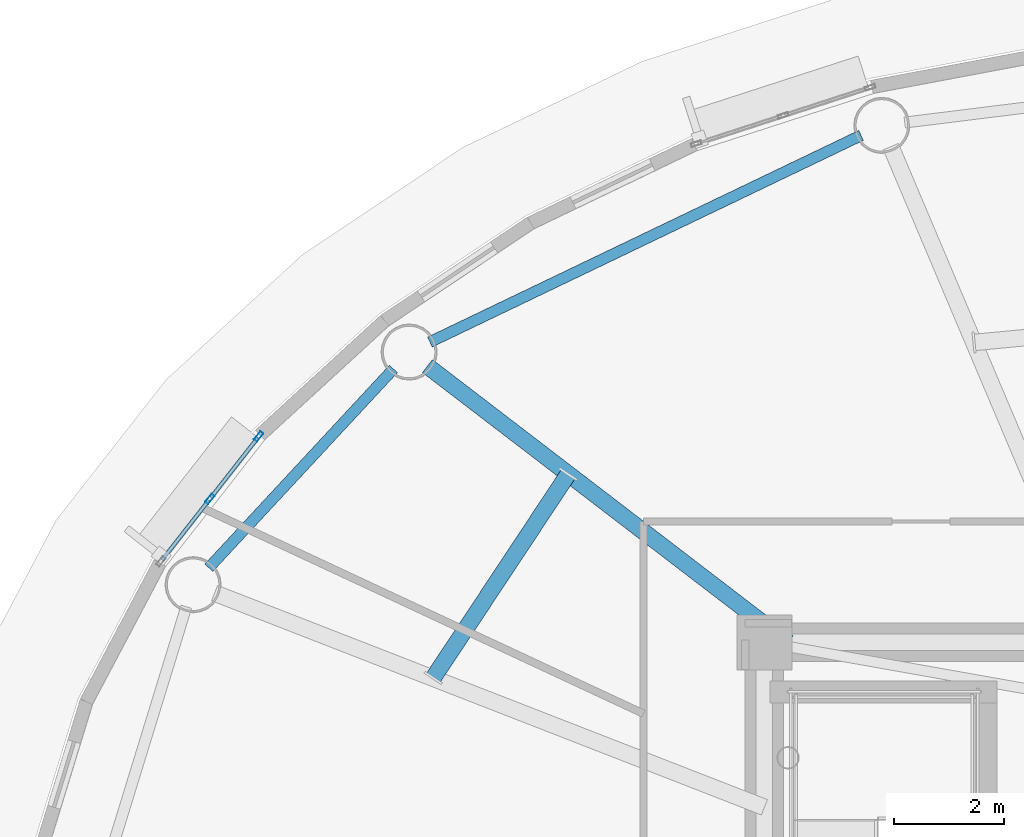
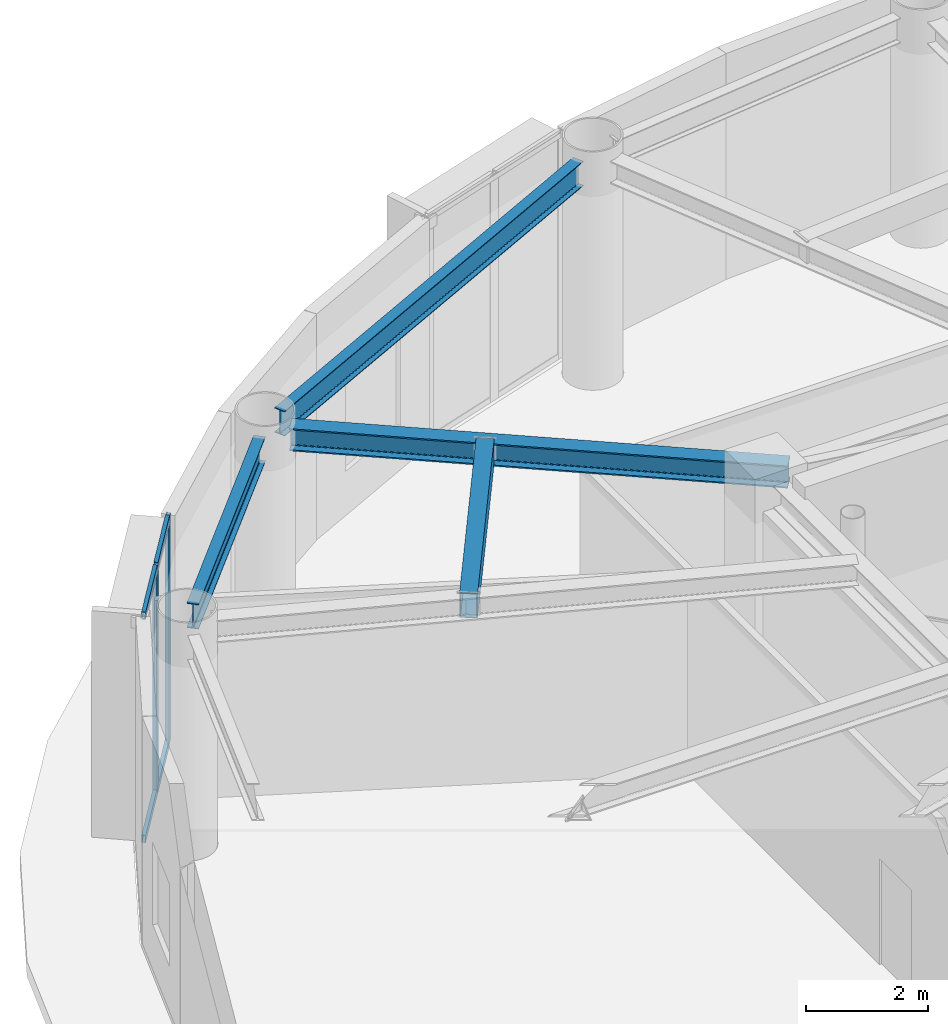
# One storey, part 12 of 32: 6 members, 4 beams, 1 element without a shape of its own.
"""IFC4 building model written with IfcOpenShell, lengths in metres."""

from ifc_helpers import new_model, si_unit, direction, frame, origin, origin_2d, place, context, subcontext, project, spatial, hollow_rectangle, i_section, extrude, source, transform, mapped, material, layer, layer_set, material_profile, profile_set, type_object, element, aggregate, save


model = new_model("IFC4")

# Units and contexts
model_context = context("Model", 3, precision=1e-05, world=origin(), true_north=direction((0.0, 1.0)))
body_context = subcontext(model_context, "Body", "Model", "MODEL_VIEW")
ifc_project = project(units=[si_unit("LENGTHUNIT", "METRE"), si_unit("AREAUNIT", "SQUARE_METRE"), si_unit("VOLUMEUNIT", "CUBIC_METRE"), si_unit("PLANEANGLEUNIT", "RADIAN"), si_unit("MASSUNIT", "GRAM", prefix="KILO")], contexts=[model_context])

# Site, building, storey
site_placement = place(None, origin())
site = spatial("IfcSite", under=ifc_project, at=site_placement, CompositionType="ELEMENT")
building_placement = place(site_placement, origin())
building = spatial("IfcBuilding", under=site, at=building_placement, Name="Linh Dai School and Residence Tower", CompositionType="ELEMENT")
storey_placement = place(building_placement, frame((0.0, 0.0, 268.199951171875)))
storey = spatial("IfcBuildingStorey", under=building, at=storey_placement, Name="L66", CompositionType="ELEMENT", Elevation=268.199951171875)

# Beams
ifc_material_1 = material(Name="Structural Steel S355JR", Category="steel")
ifc_material_profile_1 = material_profile(ifc_material_1, hollow_rectangle(XDim=0.300048828125, YDim=0.5, WallThickness=0.01611328125, at=origin_2d()), Name="RHS 500x300x16")
ifc_profile_set_1 = profile_set([ifc_material_profile_1], Name="Structural Steel S355JR")
beam_type_1 = type_object("IfcBeamType", Name="BM-BX5", PredefinedType="BEAM", material=ifc_profile_set_1)
beam_1_placement = place(storey_placement, frame((23.57861328125, 36.51025390625, 4.300048828125), z_axis=(-0.552138599569, -0.833752341445, 0.0), x_axis=(0.833752341445, -0.552138599569, 0.0)))
element("IfcBeam", 1, at=beam_1_placement, inside=storey, type_object=beam_type_1, Name="L66 Secondary Circumferential Floor Beam 04", PredefinedType="BEAM", context=body_context, shape_type="SweptSolid", body=[
    extrude(hollow_rectangle(XDim=0.300048828125, YDim=0.5, WallThickness=0.01611328125, at=origin_2d()), origin(), (0.0, 0.0, 1.0), 4.447265625),
])
ifc_material_profile_2 = material_profile(ifc_material_1, i_section(OverallWidth=0.199951171875, OverallDepth=0.5, WebThickness=0.01025390625, FlangeThickness=0.01611328125, FilletRadius=0.02099609375, at=origin_2d()), Name="IPE 500")
ifc_profile_set_2 = profile_set([ifc_material_profile_2], Name="Structural Steel S355JR")
beam_type_2 = type_object("IfcBeamType", Name="BM-RB50", PredefinedType="BEAM", material=ifc_profile_set_2)
beam_2_placement = place(storey_placement, frame((28.908935546875, 42.67626953125, 4.300048828125), z_axis=(-0.901728757887, -0.4323022637, 0.0), x_axis=(0.4323022637, -0.901728757887, 0.0)))
element("IfcBeam", 2, at=beam_2_placement, inside=storey, type_object=beam_type_2, Name="L66 Perimeter Elliptical Ring Beam 06", PredefinedType="BEAM", context=body_context, shape_type="SweptSolid", body=[
    extrude(i_section(OverallWidth=0.199951171875, OverallDepth=0.5, WebThickness=0.01025390625, FlangeThickness=0.01611328125, FilletRadius=0.02099609375, at=origin_2d()), origin(), (0.0, 0.0, 1.0), 8.700439453125),
])
beam_3_placement = place(storey_placement, frame((20.399169921875, 38.425537109375, 4.300048828125), z_axis=(-0.680415064526, -0.7328269509, 0.0), x_axis=(0.7328269509, -0.680415064526, 0.0)))
element("IfcBeam", 3, at=beam_3_placement, inside=storey, type_object=beam_type_2, Name="L66 Perimeter Elliptical Ring Beam 07", PredefinedType="BEAM", context=body_context, shape_type="SweptSolid", body=[
    extrude(i_section(OverallWidth=0.199951171875, OverallDepth=0.5, WebThickness=0.01025390625, FlangeThickness=0.01611328125, FilletRadius=0.02099609375, at=origin_2d()), origin(), (0.0, 0.0, 1.0), 4.9375),
])
ifc_material_profile_3 = material_profile(ifc_material_1, i_section(OverallWidth=0.300048828125, OverallDepth=0.449951171875, WebThickness=0.013916015625, FlangeThickness=0.02587890625, FilletRadius=0.027099609375, at=origin_2d()), Name="HEB 450")
ifc_profile_set_3 = profile_set([ifc_material_profile_3], Name="Structural Steel S355JR")
beam_type_3 = type_object("IfcBeamType", Name="BM-RG45", PredefinedType="BEAM", material=ifc_profile_set_3)
beam_4_placement = place(storey_placement, frame((27.5810546875, 33.449951171875, 4.324951171875), z_axis=(-0.793802616583, 0.608175472956, 0.0), x_axis=(-0.608175472956, -0.793802616583, 0.0)))
element("IfcBeam", 4, at=beam_4_placement, inside=storey, type_object=beam_type_3, Name="L66 Primary Radial Floor Girder 07", PredefinedType="BEAM", context=body_context, shape_type="SweptSolid", body=[
    extrude(i_section(OverallWidth=0.300048828125, OverallDepth=0.449951171875, WebThickness=0.013916015625, FlangeThickness=0.02587890625, FilletRadius=0.027099609375, at=origin_2d()), origin(), (0.0, 0.0, 1.0), 8.267578125),
])

# Curtain wall, members
ifc_material_2 = material(Name="Aluminium Anodised Curtain Wall", Category="aluminium")
ifc_layer = layer(ifc_material_2, 0.18994140625)
ifc_layer_set = layer_set([ifc_layer], Name="Aluminium Anodised Curtain Wall")
curtain_wall_type = type_object("IfcCurtainWallType", Name="CW-SYS-5", PredefinedType="USERDEFINED", material=ifc_layer_set)
curtain_wall_placement = place(storey_placement, origin())
curtain_wall = element("IfcCurtainWall", 5, at=curtain_wall_placement, inside=storey, type_object=curtain_wall_type, Name="L66 CW5 Curtain Wall 17", ObjectType="UNITISED CURTAIN WALL", PredefinedType="USERDEFINED")
ifc_material_3 = material(Name="Aluminium Alloy 6063-T6", Category="aluminium")
ifc_material_profile_4 = material_profile(ifc_material_3, hollow_rectangle(XDim=0.070068359375, YDim=0.18994140625, WallThickness=0.00390625, at=origin_2d()), Name="RHS 190x70x4")
ifc_profile_set_4 = profile_set([ifc_material_profile_4], Name="Aluminium Alloy 6063-T6")
member_type_1 = type_object("IfcMemberType", Name="CW-SYS-5-MUL", PredefinedType="MULLION", material=ifc_profile_set_4)
shared_shape_1 = source(origin(), body_context, "Body", "SweptSolid", [
    extrude(hollow_rectangle(XDim=0.070068359375, YDim=0.18994140625, WallThickness=0.00390625, at=origin_2d()), origin(), (0.0, 0.0, 1.0), 4.550048828125),
])
member_1_placement = place(storey_placement, frame((17.057861328125, 36.059814453125, 0.0), z_axis=(0.0, 0.0, 1.0), x_axis=(-0.78750300393, 0.616310813471, 0.0)))
member_1 = element("IfcMember", 6, at=member_1_placement, type_object=member_type_1, Name="CW5 mullion 2", PredefinedType="MULLION", context=body_context, shape_type="MappedRepresentation", body=[
    mapped(shared_shape_1, transform((0.0, 0.0, 0.0), x_axis=(1.0, 0.0, 0.0), y_axis=(0.0, 1.0, 0.0), z_axis=(0.0, 0.0, 1.0), scale=1.0)),
])
member_2_placement = place(storey_placement, frame((17.947998046875, 37.197265625, 0.0), z_axis=(0.0, 0.0, 1.0), x_axis=(-0.78750300393, 0.616310813471, 0.0)))
member_2 = element("IfcMember", 7, at=member_2_placement, type_object=member_type_1, Name="CW5 mullion 3", PredefinedType="MULLION", context=body_context, shape_type="MappedRepresentation", body=[
    mapped(shared_shape_1, transform((0.0, 0.0, 0.0), x_axis=(1.0, 0.0, 0.0), y_axis=(0.0, 1.0, 0.0), z_axis=(0.0, 0.0, 1.0), scale=1.0)),
])
ifc_material_profile_5 = material_profile(ifc_material_3, hollow_rectangle(XDim=0.070068359375, YDim=0.14990234375, WallThickness=0.00390625, at=origin_2d()), Name="RHS 150x70x4")
ifc_profile_set_5 = profile_set([ifc_material_profile_5], Name="Aluminium Alloy 6063-T6")
member_type_2 = type_object("IfcMemberType", Name="CW-SYS-5-TRN", PredefinedType="USERDEFINED", material=ifc_profile_set_5)
shared_shape_2 = source(origin(), body_context, "Body", "SweptSolid", [
    extrude(hollow_rectangle(XDim=0.070068359375, YDim=0.14990234375, WallThickness=0.00390625, at=origin_2d()), origin(), (0.0, 0.0, 1.0), 1.374267578125),
])
member_3_placement = place(storey_placement, frame((16.189453125, 34.949951171875, 0.03515625), z_axis=(0.616274730069, 0.78753124197, 0.0), x_axis=(-0.78753124197, 0.616274730069, 0.0)))
member_3 = element("IfcMember", 8, at=member_3_placement, type_object=member_type_2, Name="CW5 transom 1.1", ObjectType="TRANSOM", PredefinedType="USERDEFINED", context=body_context, shape_type="MappedRepresentation", body=[
    mapped(shared_shape_2, transform((0.0, 0.0, 0.0), x_axis=(1.0, 0.0, 0.0), y_axis=(0.0, 1.0, 0.0), z_axis=(0.0, 0.0, 1.0), scale=1.0)),
])
member_4_placement = place(storey_placement, frame((16.189453125, 34.949951171875, 4.51513671875), z_axis=(0.616274730069, 0.78753124197, 0.0), x_axis=(-0.78753124197, 0.616274730069, 0.0)))
member_4 = element("IfcMember", 9, at=member_4_placement, type_object=member_type_2, Name="CW5 transom 1.2", ObjectType="TRANSOM", PredefinedType="USERDEFINED", context=body_context, shape_type="MappedRepresentation", body=[
    mapped(shared_shape_2, transform((0.0, 0.0, 0.0), x_axis=(1.0, 0.0, 0.0), y_axis=(0.0, 1.0, 0.0), z_axis=(0.0, 0.0, 1.0), scale=1.0)),
])
member_5_placement = place(storey_placement, frame((17.07958984375, 36.08740234375, 0.03515625), z_axis=(0.616274730069, 0.78753124197, 0.0), x_axis=(-0.78753124197, 0.616274730069, 0.0)))
member_5 = element("IfcMember", 10, at=member_5_placement, type_object=member_type_2, Name="CW5 transom 2.1", ObjectType="TRANSOM", PredefinedType="USERDEFINED", context=body_context, shape_type="MappedRepresentation", body=[
    mapped(shared_shape_2, transform((0.0, 0.0, 0.0), x_axis=(1.0, 0.0, 0.0), y_axis=(0.0, 1.0, 0.0), z_axis=(0.0, 0.0, 1.0), scale=1.0)),
])
member_6_placement = place(storey_placement, frame((17.07958984375, 36.08740234375, 4.51513671875), z_axis=(0.616274730069, 0.78753124197, 0.0), x_axis=(-0.78753124197, 0.616274730069, 0.0)))
member_6 = element("IfcMember", 11, at=member_6_placement, type_object=member_type_2, Name="CW5 transom 2.2", ObjectType="TRANSOM", PredefinedType="USERDEFINED", context=body_context, shape_type="MappedRepresentation", body=[
    mapped(shared_shape_2, transform((0.0, 0.0, 0.0), x_axis=(1.0, 0.0, 0.0), y_axis=(0.0, 1.0, 0.0), z_axis=(0.0, 0.0, 1.0), scale=1.0)),
])
aggregate(curtain_wall, [member_1, member_2, member_3, member_4, member_5, member_6])

save(model, "model.ifc")
